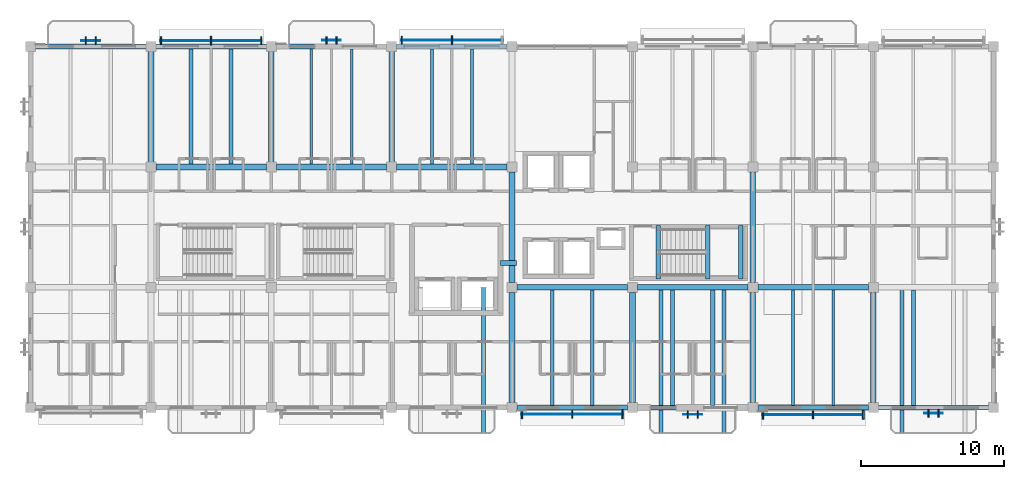
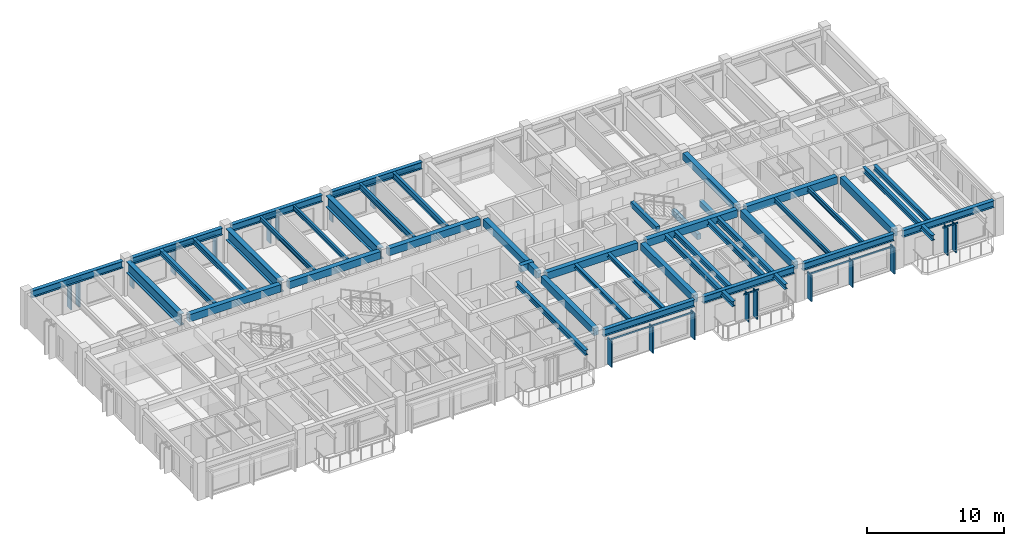
# One storey, part 2 of 18: 44 beams, 27 members, 8 elements without a shape of their own.
"""IFC4 building model written with IfcOpenShell, lengths in metres."""

import ifcopenshell
import ifcopenshell.guid

model = None  # the IFC model being written
_history = None  # IfcOwnerHistory: only IFC2X3 demands one
_inside = {}  # id of a spatial element -> (the spatial element, [elements in it])
_under = {}  # id of a project, library or spatial element -> (it, [spatial elements below it])
_declared = {}  # id of a project -> (the project, [libraries it declares])
_typed = {}  # id of a type object -> (the type object, [elements of that type])
_made_of = {}  # id of a material, layer set ... -> (it, [elements and type objects made of it])


def new_model(schema):
    """Start an empty IFC model of exactly this schema.

    Asked for "IFC4X3", IfcOpenShell would pick the latest addendum, in which some entities
    have other attributes; the version numbers below select the first issue.
    IFC2X3 requires an IfcOwnerHistory on every rooted entity: one is made here for all.
    """
    global model, _history
    if schema == "IFC4X3":
        model = ifcopenshell.file(schema_version=(4, 3, 0, 0))
    else:
        model = ifcopenshell.file(schema=schema)
    _inside.clear()
    _under.clear()
    _declared.clear()
    _typed.clear()
    _made_of.clear()
    _history = None
    if model.schema == "IFC2X3":
        org = make("IfcOrganization", Name="unknown")
        user = make(
            "IfcPersonAndOrganization",
            ThePerson=make("IfcPerson", FamilyName="unknown"),
            TheOrganization=org,
        )
        app = make(
            "IfcApplication",
            ApplicationDeveloper=org,
            Version="unknown",
            ApplicationFullName="unknown",
            ApplicationIdentifier="unknown",
        )
        _history = make(
            "IfcOwnerHistory",
            OwningUser=user,
            OwningApplication=app,
            ChangeAction="ADDED",
            CreationDate=0,
        )
    return model


def make(cls, **values):
    """One entity of the class cls with the attributes given. An attribute that is None is left unset."""
    return model.create_entity(
        cls, **{name: value for name, value in values.items() if value is not None}
    )


def rooted(cls, **values):
    """An entity with a GlobalId (a new one), such as an element, a storey or a relation."""
    return make(cls, GlobalId=ifcopenshell.guid.new(), OwnerHistory=_history, **values)


def si_unit(unit_type, name, prefix=None):
    """IfcSIUnit, for example si_unit("LENGTHUNIT", "METRE", prefix="MILLI")."""
    return make("IfcSIUnit", UnitType=unit_type, Prefix=prefix, Name=name)


def assignment(units):
    """IfcUnitAssignment: the units of a project."""
    return None if units is None else make("IfcUnitAssignment", Units=units)


def point(xyz):
    """IfcCartesianPoint."""
    return None if xyz is None else make("IfcCartesianPoint", Coordinates=xyz)


def direction(xyz):
    """IfcDirection."""
    return None if xyz is None else make("IfcDirection", DirectionRatios=xyz)


def frame(location, z_axis=None, x_axis=None):
    """IfcAxis2Placement3D, a coordinate frame: its origin and axes. An axis left out is left unset."""
    return make(
        "IfcAxis2Placement3D",
        Location=point(location),
        Axis=direction(z_axis),
        RefDirection=direction(x_axis),
    )


def frame_2d(location, x_axis=None):
    """IfcAxis2Placement2D, a coordinate frame in the plane: its origin and x axis."""
    return make(
        "IfcAxis2Placement2D", Location=point(location), RefDirection=direction(x_axis)
    )


def origin():
    """The frame at (0, 0, 0) with its axes left unset."""
    return frame((0.0, 0.0, 0.0))


def origin_2d():
    """The frame at (0, 0) in the plane with its x axis left unset."""
    return frame_2d((0.0, 0.0))


def place(relative_to, where):
    """IfcLocalPlacement: puts the frame where relative to a parent placement (None: the world)."""
    return make(
        "IfcLocalPlacement", PlacementRelTo=relative_to, RelativePlacement=where
    )


def context(
    kind, dimensions, precision=None, world=None, true_north=None, identifier=None
):
    """IfcGeometricRepresentationContext, for example the 3D "Model" context."""
    return make(
        "IfcGeometricRepresentationContext",
        ContextIdentifier=identifier,
        ContextType=kind,
        CoordinateSpaceDimension=dimensions,
        Precision=precision,
        WorldCoordinateSystem=world,
        TrueNorth=true_north,
    )


def subcontext(parent, identifier, kind, view, scale=None):
    """IfcGeometricRepresentationSubContext, for example "Body" below "Model"."""
    return make(
        "IfcGeometricRepresentationSubContext",
        ContextIdentifier=identifier,
        ContextType=kind,
        ParentContext=parent,
        TargetScale=scale,
        TargetView=view,
    )


def project(units=None, contexts=None):
    """IfcProject with its units and contexts."""
    return rooted(
        "IfcProject",
        Name="project",
        RepresentationContexts=contexts,
        UnitsInContext=assignment(units),
    )


def spatial(cls, under=None, at=None, **own):
    """A site, building, storey or space (cls), placed at a placement, below another one or the project."""
    s = rooted(cls, ObjectPlacement=at, **own)
    if under is not None:
        _under.setdefault(under.id(), (under, []))[1].append(s)
    return s


def profile(cls, at=None, kind="AREA", **sizes):
    """A parametric profile (cls). Its sizes go by their IFC names, for example OverallWidth=200.0."""
    return make(cls, ProfileType=kind, Position=at, **sizes)


def rectangle(**sizes):
    """IfcRectangleProfileDef."""
    return profile("IfcRectangleProfileDef", **sizes)


def i_section(**sizes):
    """IfcIShapeProfileDef."""
    return profile("IfcIShapeProfileDef", **sizes)


def extrude(swept, where, along, depth):
    """IfcExtrudedAreaSolid: the profile swept, set in the frame where, extruded along a direction by depth."""
    return make(
        "IfcExtrudedAreaSolid",
        SweptArea=swept,
        Position=where,
        ExtrudedDirection=direction(along),
        Depth=depth,
    )


def shape(context_of_items, identifier, shape_type, items):
    """IfcShapeRepresentation: the items that make up one representation, for example the "Body"."""
    return make(
        "IfcShapeRepresentation",
        ContextOfItems=context_of_items,
        RepresentationIdentifier=identifier,
        RepresentationType=shape_type,
        Items=items,
    )


def material(Name=None, Category=None):
    """IfcMaterial."""
    return make("IfcMaterial", Name=Name, Category=Category)


def material_profile(
    of_material, cross_section, Name=None, Category=None, Priority=None
):
    """IfcMaterialProfile: a cross section and its material."""
    return make(
        "IfcMaterialProfile",
        Name=Name,
        Material=of_material,
        Profile=cross_section,
        Priority=Priority,
        Category=Category,
    )


def profile_set(profiles, Name=None, composite=None):
    """IfcMaterialProfileSet."""
    return make(
        "IfcMaterialProfileSet",
        Name=Name,
        MaterialProfiles=profiles,
        CompositeProfile=composite,
    )


def made_of(thing, what):
    """Note that an element or type object is made of a material, layer set ...; save() writes the relation."""
    if what is not None:
        _made_of.setdefault(what.id(), (what, []))[1].append(thing)
    return thing


def type_object(cls, material=None, **own):
    """A type object (cls), such as IfcWallType, which elements share."""
    return made_of(rooted(cls, **own), material)


def element(
    cls,
    number,
    at=None,
    inside=None,
    cuts=None,
    type_object=None,
    material=None,
    context=None,
    identifier="Body",
    shape_type=None,
    held_by="IfcProductDefinitionShape",
    body=None,
    shapes=None,
    **own,
):
    """One element of the class cls, such as IfcWall. Its Tag is "e" and its number.

    at: its placement. inside: the storey or other place that contains it. cuts: it is an
    opening in that element (IfcRelVoidsElement). A single representation is given by context,
    identifier, shape_type and body (its items); several are given by shapes. held_by: the class
    of the entity that holds the representations. save() writes the other relations.
    """
    e = rooted(cls, Tag="e%d" % number, ObjectPlacement=at, **own)
    if body is not None:
        shapes = [shape(context, identifier, shape_type, body)]
    if shapes is not None:
        e.Representation = make(held_by, Representations=shapes)
    if inside is not None:
        _inside.setdefault(inside.id(), (inside, []))[1].append(e)
    if cuts is not None:
        rooted(
            "IfcRelVoidsElement", RelatingBuildingElement=cuts, RelatedOpeningElement=e
        )
    if type_object is not None:
        _typed.setdefault(type_object.id(), (type_object, []))[1].append(e)
    return made_of(e, material)


def aggregate(whole, parts):
    """IfcRelAggregates: a whole, such as a stair, and the parts it consists of."""
    return rooted("IfcRelAggregates", RelatingObject=whole, RelatedObjects=parts)


def save(model, path):
    """Write the relations noted so far, then the file.

    IfcRelAggregates (storeys below a building ...), IfcRelContainedInSpatialStructure (elements
    in a storey), IfcRelDefinesByType, IfcRelAssociatesMaterial and IfcRelDeclares: one each for
    every whole, place, type object, material and project.
    """
    for whole, parts in _under.values():
        aggregate(whole, parts)
    for where, things in _inside.values():
        rooted(
            "IfcRelContainedInSpatialStructure",
            RelatedElements=things,
            RelatingStructure=where,
        )
    for kind, things in _typed.values():
        rooted("IfcRelDefinesByType", RelatedObjects=things, RelatingType=kind)
    for what, things in _made_of.values():
        rooted("IfcRelAssociatesMaterial", RelatedObjects=things, RelatingMaterial=what)
    for by, libraries in _declared.values():
        rooted("IfcRelDeclares", RelatingContext=by, RelatedDefinitions=libraries)
    model.write(path)


model = new_model("IFC4")

# Units and contexts
model_context = context("Model", 3, precision=1e-05, world=origin(), true_north=direction((0.0, 1.0)))
body_context = subcontext(model_context, "Body", "Model", "MODEL_VIEW")
ifc_project = project(units=[si_unit("LENGTHUNIT", "METRE"), si_unit("AREAUNIT", "SQUARE_METRE"), si_unit("VOLUMEUNIT", "CUBIC_METRE"), si_unit("PLANEANGLEUNIT", "RADIAN"), si_unit("MASSUNIT", "GRAM", prefix="KILO")], contexts=[model_context])

# Site, building, storey
site_placement = place(None, origin())
site = spatial("IfcSite", under=ifc_project, at=site_placement, CompositionType="ELEMENT")
building_placement = place(site_placement, origin())
building = spatial("IfcBuilding", under=site, at=building_placement, Name="Cumbredor Promenade Congress Hotel", CompositionType="ELEMENT")
storey_placement = place(building_placement, frame((0.0, 0.0, 25.199951171875)))
storey = spatial("IfcBuildingStorey", under=building, at=storey_placement, Name="L07", CompositionType="ELEMENT", Elevation=25.199951171875)

# Beams
ifc_material_1 = material(Name="Concrete C40/50", Category="concrete")
ifc_material_profile_1 = material_profile(ifc_material_1, rectangle(XDim=0.39990234375, YDim=0.64990234375, at=origin_2d()), Name="RC BEAM 400x650")
ifc_profile_set_1 = profile_set([ifc_material_profile_1], Name="Concrete C40/50")
beam_type_1 = type_object("IfcBeamType", Name="BM-RC-400x650", PredefinedType="BEAM", material=ifc_profile_set_1)
beam_1_placement = place(storey_placement, frame((8.75, 109.199951171875, 2.795166015625), z_axis=(1.0, 0.0, 0.0), x_axis=(0.0, 1.0, 0.0)))
element("IfcBeam", 1, at=beam_1_placement, inside=storey, type_object=beam_type_1, Name="L08 X-Grid Beam 011", PredefinedType="BEAM", context=body_context, shape_type="SweptSolid", body=[
    extrude(rectangle(XDim=0.39990234375, YDim=0.64990234375, at=origin_2d()), origin(), (0.0, 0.0, 1.0), 7.699951171875),
])
beam_2_placement = place(storey_placement, frame((17.14990234375, 109.199951171875, 2.795166015625), z_axis=(1.0, 0.0, 0.0), x_axis=(0.0, 1.0, 0.0)))
element("IfcBeam", 2, at=beam_2_placement, inside=storey, type_object=beam_type_1, Name="L08 X-Grid Beam 016", PredefinedType="BEAM", context=body_context, shape_type="SweptSolid", body=[
    extrude(rectangle(XDim=0.39990234375, YDim=0.64990234375, at=origin_2d()), origin(), (0.0, 0.0, 1.0), 7.7001953125),
])
for number, where, z_axis, x_axis, name in (
    (3, (25.550048828125, 109.199951171875, 2.795166015625), (1.0, 0.0, 0.0), (0.0, 1.0, 0.0), "L08 X-Grid Beam 020"),
    (4, (33.60009765625, 92.75, 2.795166015625), (0.0, 1.0, 0.0), (-1.0, 0.0, 0.0), "L08 Y-Grid Beam 023"),
    (5, (33.949951171875, 100.800048828125, 2.795166015625), (1.0, 0.0, 0.0), (0.0, 1.0, 0.0), "L08 X-Grid Beam 024"),
):
    element("IfcBeam", number, at=place(storey_placement, frame(where, z_axis=z_axis, x_axis=x_axis)), inside=storey, type_object=beam_type_1, Name=name, PredefinedType="BEAM", context=body_context, shape_type="SweptSolid", body=[
        extrude(rectangle(XDim=0.39990234375, YDim=0.64990234375, at=origin_2d()), origin(), (0.0, 0.0, 1.0), 7.699951171875),
    ])
beam_3_placement = place(storey_placement, frame((33.60009765625, 101.14990234375, 2.795166015625), z_axis=(0.0, 1.0, 0.0), x_axis=(-1.0, 0.0, 0.0)))
element("IfcBeam", 6, at=beam_3_placement, inside=storey, type_object=beam_type_1, Name="L08 Y-Grid Beam 025", PredefinedType="BEAM", context=body_context, shape_type="SweptSolid", body=[
    extrude(rectangle(XDim=0.39990234375, YDim=0.64990234375, at=origin_2d()), origin(), (0.0, 0.0, 1.0), 7.7001953125),
])
for number, where, z_axis, x_axis, name in (
    (7, (42.0, 92.75, 2.795166015625), (0.0, 1.0, 0.0), (-1.0, 0.0, 0.0), "L08 Y-Grid Beam 028"),
    (8, (42.35009765625, 100.800048828125, 2.795166015625), (1.0, 0.0, 0.0), (0.0, 1.0, 0.0), "L08 X-Grid Beam 029"),
    (9, (50.39990234375, 92.75, 2.795166015625), (0.0, 1.0, 0.0), (-1.0, 0.0, 0.0), "L08 Y-Grid Beam 033"),
    (10, (50.75, 100.800048828125, 2.795166015625), (1.0, 0.0, 0.0), (0.0, 1.0, 0.0), "L08 X-Grid Beam 034"),
):
    element("IfcBeam", number, at=place(storey_placement, frame(where, z_axis=z_axis, x_axis=x_axis)), inside=storey, type_object=beam_type_1, Name=name, PredefinedType="BEAM", context=body_context, shape_type="SweptSolid", body=[
        extrude(rectangle(XDim=0.39990234375, YDim=0.64990234375, at=origin_2d()), origin(), (0.0, 0.0, 1.0), 7.699951171875),
    ])
beam_4_placement = place(storey_placement, frame((50.39990234375, 101.14990234375, 2.795166015625), z_axis=(0.0, 1.0, 0.0), x_axis=(-1.0, 0.0, 0.0)))
element("IfcBeam", 11, at=beam_4_placement, inside=storey, type_object=beam_type_1, Name="L08 Y-Grid Beam 035", PredefinedType="BEAM", context=body_context, shape_type="SweptSolid", body=[
    extrude(rectangle(XDim=0.39990234375, YDim=0.64990234375, at=origin_2d()), origin(), (0.0, 0.0, 1.0), 7.7001953125),
])
beam_5_placement = place(storey_placement, frame((58.800048828125, 92.75, 2.795166015625), z_axis=(0.0, 1.0, 0.0), x_axis=(-1.0, 0.0, 0.0)))
element("IfcBeam", 12, at=beam_5_placement, inside=storey, type_object=beam_type_1, Name="L08 Y-Grid Beam 039", PredefinedType="BEAM", context=body_context, shape_type="SweptSolid", body=[
    extrude(rectangle(XDim=0.39990234375, YDim=0.64990234375, at=origin_2d()), origin(), (0.0, 0.0, 1.0), 7.699951171875),
])
ifc_material_2 = material(Name="Steel ASTM A992 Grade 50", Category="steel")
ifc_material_profile_2 = material_profile(ifc_material_2, i_section(OverallWidth=0.323974609375, OverallDepth=0.611083984375, WebThickness=0.0126953125, FlangeThickness=0.01904296875, at=origin_2d()), Name="W24X104")
ifc_profile_set_2 = profile_set([ifc_material_profile_2], Name="Steel ASTM A992 Grade 50")
beam_type_2 = type_object("IfcBeamType", Name="BM-W24X104", PredefinedType="BEAM", material=ifc_profile_set_2)
for number, where, z_axis, x_axis, name in (
    (13, (0.35009765625, 117.60009765625, 2.734619140625), (1.0, 0.0, 0.0), (0.0, 1.0, 0.0), "L08 X-Grid Beam 006"),
    (14, (8.75, 117.60009765625, 2.734619140625), (1.0, 0.0, 0.0), (0.0, 1.0, 0.0), "L08 X-Grid Beam 012"),
):
    element("IfcBeam", number, at=place(storey_placement, frame(where, z_axis=z_axis, x_axis=x_axis)), inside=storey, type_object=beam_type_2, Name=name, PredefinedType="BEAM", context=body_context, shape_type="SweptSolid", body=[
        extrude(i_section(OverallWidth=0.323974609375, OverallDepth=0.611083984375, WebThickness=0.0126953125, FlangeThickness=0.01904296875, at=origin_2d()), origin(), (0.0, 0.0, 1.0), 7.699951171875),
    ])
beam_6_placement = place(storey_placement, frame((17.14990234375, 117.60009765625, 2.734619140625), z_axis=(1.0, 0.0, 0.0), x_axis=(0.0, 1.0, 0.0)))
element("IfcBeam", 15, at=beam_6_placement, inside=storey, type_object=beam_type_2, Name="L08 X-Grid Beam 017", PredefinedType="BEAM", context=body_context, shape_type="SweptSolid", body=[
    extrude(i_section(OverallWidth=0.323974609375, OverallDepth=0.611083984375, WebThickness=0.0126953125, FlangeThickness=0.01904296875, at=origin_2d()), origin(), (0.0, 0.0, 1.0), 7.7001953125),
])
for number, where, z_axis, x_axis, name in (
    (16, (25.550048828125, 117.60009765625, 2.734619140625), (1.0, 0.0, 0.0), (0.0, 1.0, 0.0), "L08 X-Grid Beam 021"),
    (17, (33.949951171875, 92.39990234375, 2.814453125), (1.0, 0.0, 0.0), (0.0, 1.0, 0.0), "L08 X-Grid Beam 022"),
    (18, (42.35009765625, 92.39990234375, 2.814453125), (1.0, 0.0, 0.0), (0.0, 1.0, 0.0), "L08 X-Grid Beam 027"),
    (19, (50.75, 92.39990234375, 2.814453125), (1.0, 0.0, 0.0), (0.0, 1.0, 0.0), "L08 X-Grid Beam 032"),
):
    element("IfcBeam", number, at=place(storey_placement, frame(where, z_axis=z_axis, x_axis=x_axis)), inside=storey, type_object=beam_type_2, Name=name, PredefinedType="BEAM", context=body_context, shape_type="SweptSolid", body=[
        extrude(i_section(OverallWidth=0.323974609375, OverallDepth=0.611083984375, WebThickness=0.0126953125, FlangeThickness=0.01904296875, at=origin_2d()), origin(), (0.0, 0.0, 1.0), 7.699951171875),
    ])
beam_7_placement = place(storey_placement, frame((59.14990234375, 92.39990234375, 2.814453125), z_axis=(1.0, 0.0, 0.0), x_axis=(0.0, 1.0, 0.0)))
element("IfcBeam", 20, at=beam_7_placement, inside=storey, type_object=beam_type_2, Name="L08 X-Grid Beam 038", PredefinedType="BEAM", context=body_context, shape_type="SweptSolid", body=[
    extrude(i_section(OverallWidth=0.323974609375, OverallDepth=0.611083984375, WebThickness=0.0126953125, FlangeThickness=0.01904296875, at=origin_2d()), origin(), (0.0, 0.0, 1.0), 7.7001953125),
])
ifc_material_profile_3 = material_profile(ifc_material_2, i_section(OverallWidth=0.402099609375, OverallDepth=1.011962890625, WebThickness=0.023681640625, FlangeThickness=0.0419921875, at=origin_2d()), Name="W40X297")
ifc_profile_set_3 = profile_set([ifc_material_profile_3], Name="Steel ASTM A992 Grade 50")
beam_type_3 = type_object("IfcBeamType", Name="BM-W40X297", PredefinedType="BEAM", material=ifc_profile_set_3)
for number, where, z_axis, x_axis, name in (
    (21, (8.39990234375, 109.5, 2.533935546875), (0.0, 1.0, 0.0), (-1.0, 0.0, 0.0), "L08 North Setback Transfer Girder TGN-01"),
    (22, (16.800048828125, 109.5, 2.533935546875), (0.0, 1.0, 0.0), (-1.0, 0.0, 0.0), "L08 North Setback Transfer Girder TGN-02"),
    (23, (25.199951171875, 109.5, 2.533935546875), (0.0, 1.0, 0.0), (-1.0, 0.0, 0.0), "L08 North Setback Transfer Girder TGN-03"),
):
    element("IfcBeam", number, at=place(storey_placement, frame(where, z_axis=z_axis, x_axis=x_axis)), inside=storey, type_object=beam_type_3, Name=name, PredefinedType="BEAM", context=body_context, shape_type="SweptSolid", body=[
        extrude(i_section(OverallWidth=0.402099609375, OverallDepth=1.011962890625, WebThickness=0.023681640625, FlangeThickness=0.0419921875, at=origin_2d()), origin(), (0.0, 0.0, 1.0), 7.800048828125),
    ])

# Curtain wall, member
ifc_material_3 = material(Name="Thermally broken anodized aluminium and low-E glass", Category="aluminium")
curtain_wall_type = type_object("IfcCurtainWallType", Name="Solar Brise-Soleil Screen Assembly CW-07", PredefinedType="NOTDEFINED", material=ifc_material_3)
curtain_wall_1_placement = place(storey_placement, origin())
curtain_wall_1 = element("IfcCurtainWall", 24, at=curtain_wall_1_placement, inside=storey, type_object=curtain_wall_type, Name="L07 Hospitality Brise-Soleil Screen 097", PredefinedType="NOTDEFINED")
ifc_material_4 = material(Name="Thermally broken anodized aluminium", Category="aluminium")
ifc_material_profile_4 = material_profile(ifc_material_4, rectangle(XDim=0.06494140625, YDim=0.1298828125, at=origin_2d()), Name="ALU TRANSOM 65x130")
ifc_profile_set_4 = profile_set([ifc_material_profile_4], Name="Thermally broken anodized aluminium")
member_type_1 = type_object("IfcMemberType", Name="Curtain Wall Transom TR-01", PredefinedType="USERDEFINED", material=ifc_profile_set_4)
member_1_placement = place(storey_placement, frame((34.2509765625, 91.949951171875, 2.31396484375), z_axis=(1.0, 0.0, 0.0), x_axis=(0.0, 1.0, 0.0)))
member_1 = element("IfcMember", 25, at=member_1_placement, type_object=member_type_1, Name="L07 Brise-Soleil Screen Transom 097", ObjectType="TRANSOM", PredefinedType="USERDEFINED", context=body_context, shape_type="SweptSolid", body=[
    extrude(rectangle(XDim=0.06494140625, YDim=0.1298828125, at=origin_2d()), origin(), (0.0, 0.0, 1.0), 7.09814453125),
])

curtain_wall_2_placement = place(storey_placement, origin())
curtain_wall_2 = element("IfcCurtainWall", 26, at=curtain_wall_2_placement, inside=storey, type_object=curtain_wall_type, Name="L07 Veranda Solar Brise-Soleil Screen 997", PredefinedType="NOTDEFINED")
member_2_placement = place(storey_placement, frame((45.550048828125, 91.927490234375, 2.4140625), z_axis=(1.0, 0.0, 0.0), x_axis=(0.0, 1.0, 0.0)))
member_2 = element("IfcMember", 27, at=member_2_placement, type_object=member_type_1, Name="L07 Brise-Soleil Header Tie 0999", ObjectType="TRANSOM", PredefinedType="USERDEFINED", context=body_context, shape_type="SweptSolid", body=[
    extrude(rectangle(XDim=0.06494140625, YDim=0.1298828125, at=origin_2d()), origin(), (0.0, 0.0, 1.0), 1.300048828125),
])

curtain_wall_3_placement = place(storey_placement, origin())
curtain_wall_3 = element("IfcCurtainWall", 28, at=curtain_wall_3_placement, inside=storey, type_object=curtain_wall_type, Name="L07 Hospitality Brise-Soleil Screen 098", PredefinedType="NOTDEFINED")
member_3_placement = place(storey_placement, frame((51.051025390625, 91.9150390625, 2.31396484375), z_axis=(1.0, 0.0, 0.0), x_axis=(0.0, 1.0, 0.0)))
member_3 = element("IfcMember", 29, at=member_3_placement, type_object=member_type_1, Name="L07 Brise-Soleil Screen Transom 098", ObjectType="TRANSOM", PredefinedType="USERDEFINED", context=body_context, shape_type="SweptSolid", body=[
    extrude(rectangle(XDim=0.06494140625, YDim=0.1298828125, at=origin_2d()), origin(), (0.0, 0.0, 1.0), 7.097900390625),
])

curtain_wall_4_placement = place(storey_placement, origin())
curtain_wall_4 = element("IfcCurtainWall", 30, at=curtain_wall_4_placement, inside=storey, type_object=curtain_wall_type, Name="L07 Veranda Solar Brise-Soleil Screen 1003", PredefinedType="NOTDEFINED")
member_4_placement = place(storey_placement, frame((62.35009765625, 92.010009765625, 2.4140625), z_axis=(1.0, 0.0, 0.0), x_axis=(0.0, 1.0, 0.0)))
member_4 = element("IfcMember", 31, at=member_4_placement, type_object=member_type_1, Name="L07 Brise-Soleil Header Tie 1005", ObjectType="TRANSOM", PredefinedType="USERDEFINED", context=body_context, shape_type="SweptSolid", body=[
    extrude(rectangle(XDim=0.06494140625, YDim=0.1298828125, at=origin_2d()), origin(), (0.0, 0.0, 1.0), 1.2998046875),
])

curtain_wall_5_placement = place(storey_placement, origin())
curtain_wall_5 = element("IfcCurtainWall", 32, at=curtain_wall_5_placement, inside=storey, type_object=curtain_wall_type, Name="L07 Veranda Solar Brise-Soleil Screen 1006", PredefinedType="NOTDEFINED")
member_5_placement = place(storey_placement, frame((3.550048828125, 118.0, 2.333984375), z_axis=(1.0, 0.0, 0.0), x_axis=(0.0, 1.0, 0.0)))
member_5 = element("IfcMember", 33, at=member_5_placement, type_object=member_type_1, Name="L07 Brise-Soleil Header Tie 1008", ObjectType="TRANSOM", PredefinedType="USERDEFINED", context=body_context, shape_type="SweptSolid", body=[
    extrude(rectangle(XDim=0.06494140625, YDim=0.1298828125, at=origin_2d()), origin(), (0.0, 0.0, 1.0), 1.300048828125),
])

curtain_wall_6_placement = place(storey_placement, origin())
curtain_wall_6 = element("IfcCurtainWall", 34, at=curtain_wall_6_placement, inside=storey, type_object=curtain_wall_type, Name="L07 Hospitality Brise-Soleil Screen 099", PredefinedType="NOTDEFINED")
member_6_placement = place(storey_placement, frame((9.051025390625, 118.010009765625, 2.234130859375), z_axis=(1.0, 0.0, 0.0), x_axis=(0.0, 1.0, 0.0)))
member_6 = element("IfcMember", 35, at=member_6_placement, type_object=member_type_1, Name="L07 Brise-Soleil Screen Transom 099", ObjectType="TRANSOM", PredefinedType="USERDEFINED", context=body_context, shape_type="SweptSolid", body=[
    extrude(rectangle(XDim=0.06494140625, YDim=0.1298828125, at=origin_2d()), origin(), (0.0, 0.0, 1.0), 7.097900390625),
])

curtain_wall_7_placement = place(storey_placement, origin())
curtain_wall_7 = element("IfcCurtainWall", 36, at=curtain_wall_7_placement, inside=storey, type_object=curtain_wall_type, Name="L07 Veranda Solar Brise-Soleil Screen 1012", PredefinedType="NOTDEFINED")
member_7_placement = place(storey_placement, frame((20.35009765625, 118.0224609375, 2.333984375), z_axis=(1.0, 0.0, 0.0), x_axis=(0.0, 1.0, 0.0)))
member_7 = element("IfcMember", 37, at=member_7_placement, type_object=member_type_1, Name="L07 Brise-Soleil Header Tie 1014", ObjectType="TRANSOM", PredefinedType="USERDEFINED", context=body_context, shape_type="SweptSolid", body=[
    extrude(rectangle(XDim=0.06494140625, YDim=0.1298828125, at=origin_2d()), origin(), (0.0, 0.0, 1.0), 1.2998046875),
])

curtain_wall_8_placement = place(storey_placement, origin())
curtain_wall_8 = element("IfcCurtainWall", 38, at=curtain_wall_8_placement, inside=storey, type_object=curtain_wall_type, Name="L07 Hospitality Brise-Soleil Screen 100", PredefinedType="NOTDEFINED")
member_8_placement = place(storey_placement, frame((25.85107421875, 118.034912109375, 2.234130859375), z_axis=(1.0, 0.0, 0.0), x_axis=(0.0, 1.0, 0.0)))
member_8 = element("IfcMember", 39, at=member_8_placement, type_object=member_type_1, Name="L07 Brise-Soleil Screen Transom 100", ObjectType="TRANSOM", PredefinedType="USERDEFINED", context=body_context, shape_type="SweptSolid", body=[
    extrude(rectangle(XDim=0.06494140625, YDim=0.1298828125, at=origin_2d()), origin(), (0.0, 0.0, 1.0), 7.097900390625),
])

# Beams
ifc_material_profile_5 = material_profile(ifc_material_2, i_section(OverallWidth=0.2548828125, OverallDepth=0.35693359375, WebThickness=0.010498046875, FlangeThickness=0.018310546875, at=origin_2d()), Name="W14X68")
ifc_profile_set_5 = profile_set([ifc_material_profile_5], Name="Steel ASTM A992 Grade 50")
beam_type_4 = type_object("IfcBeamType", Name="JST-W14X68", PredefinedType="JOIST", material=ifc_profile_set_5)
for number, where, z_axis, x_axis, name in (
    (40, (36.39990234375, 92.56201171875, 2.941650390625), (0.0, 1.0, 0.0), (-1.0, 0.0, 0.0), "L08 Secondary Floor Joist 0017"),
    (41, (39.199951171875, 92.56201171875, 2.941650390625), (0.0, 1.0, 0.0), (-1.0, 0.0, 0.0), "L08 Secondary Floor Joist 0018"),
):
    element("IfcBeam", number, at=place(storey_placement, frame(where, z_axis=z_axis, x_axis=x_axis)), inside=storey, type_object=beam_type_4, Name=name, PredefinedType="JOIST", context=body_context, shape_type="SweptSolid", body=[
        extrude(i_section(OverallWidth=0.2548828125, OverallDepth=0.35693359375, WebThickness=0.010498046875, FlangeThickness=0.018310546875, at=origin_2d()), origin(), (0.0, 0.0, 1.0), 8.0380859375),
    ])
ifc_material_profile_6 = material_profile(ifc_material_2, i_section(OverallWidth=0.180908203125, OverallDepth=0.4169921875, WebThickness=0.010986328125, FlangeThickness=0.018310546875, at=origin_2d()), Name="W16X57")
ifc_profile_set_6 = profile_set([ifc_material_profile_6], Name="Steel ASTM A992 Grade 50")
beam_type_5 = type_object("IfcBeamType", Name="JST-W16X57", PredefinedType="JOIST", material=ifc_profile_set_6)
for number, where, z_axis, x_axis, name in (
    (42, (19.60009765625, 109.39990234375, 2.83154296875), (0.0, 1.0, 0.0), (-1.0, 0.0, 0.0), "L08 Secondary Floor Joist 0013"),
    (43, (22.39990234375, 109.39990234375, 2.83154296875), (0.0, 1.0, 0.0), (-1.0, 0.0, 0.0), "L08 Secondary Floor Joist 0014"),
    (44, (53.199951171875, 92.56201171875, 2.91162109375), (0.0, 1.0, 0.0), (-1.0, 0.0, 0.0), "L08 Secondary Floor Joist 0023"),
    (45, (56.0, 92.56201171875, 2.91162109375), (0.0, 1.0, 0.0), (-1.0, 0.0, 0.0), "L08 Secondary Floor Joist 0024"),
):
    element("IfcBeam", number, at=place(storey_placement, frame(where, z_axis=z_axis, x_axis=x_axis)), inside=storey, type_object=beam_type_5, Name=name, PredefinedType="JOIST", context=body_context, shape_type="SweptSolid", body=[
        extrude(i_section(OverallWidth=0.180908203125, OverallDepth=0.4169921875, WebThickness=0.010986328125, FlangeThickness=0.018310546875, at=origin_2d()), origin(), (0.0, 0.0, 1.0), 8.0380859375),
    ])
ifc_material_profile_7 = material_profile(ifc_material_2, i_section(OverallWidth=0.280029296875, OverallDepth=0.462890625, WebThickness=0.0107421875, FlangeThickness=0.017333984375, at=origin_2d()), Name="W18X76")
ifc_profile_set_7 = profile_set([ifc_material_profile_7], Name="Steel ASTM A992 Grade 50")
beam_type_6 = type_object("IfcBeamType", Name="JST-W18X76", PredefinedType="JOIST", material=ifc_profile_set_7)
for number, where, z_axis, x_axis, name in (
    (46, (31.60009765625, 90.64990234375, 2.888427734375), (0.0, 1.0, 0.0), (-1.0, 0.0, 0.0), "L08 Balcony Back-Spanned Outrigger Beam 050.2"),
    (47, (44.0, 90.64990234375, 2.888427734375), (0.0, 1.0, 0.0), (-1.0, 0.0, 0.0), "L08 Balcony Back-Spanned Outrigger Beam 051.1"),
    (48, (48.39990234375, 90.64990234375, 2.888427734375), (0.0, 1.0, 0.0), (-1.0, 0.0, 0.0), "L08 Balcony Back-Spanned Outrigger Beam 051.2"),
    (49, (60.800048828125, 90.64990234375, 2.888427734375), (0.0, 1.0, 0.0), (-1.0, 0.0, 0.0), "L08 Balcony Back-Spanned Outrigger Beam 052.1"),
):
    element("IfcBeam", number, at=place(storey_placement, frame(where, z_axis=z_axis, x_axis=x_axis)), inside=storey, type_object=beam_type_6, Name=name, PredefinedType="JOIST", context=body_context, shape_type="SweptSolid", body=[
        extrude(i_section(OverallWidth=0.280029296875, OverallDepth=0.462890625, WebThickness=0.0107421875, FlangeThickness=0.017333984375, at=origin_2d()), origin(), (0.0, 0.0, 1.0), 10.150146484375),
    ])
for number, where, z_axis, x_axis, name in (
    (50, (11.199951171875, 109.39990234375, 2.80859375), (0.0, 1.0, 0.0), (-1.0, 0.0, 0.0), "L08 Secondary Floor Joist 0009"),
    (51, (14.0, 109.39990234375, 2.80859375), (0.0, 1.0, 0.0), (-1.0, 0.0, 0.0), "L08 Secondary Floor Joist 0010"),
    (52, (44.800048828125, 92.56201171875, 2.888427734375), (0.0, 1.0, 0.0), (-1.0, 0.0, 0.0), "L08 Secondary Floor Joist 0019"),
    (53, (47.60009765625, 92.56201171875, 2.888427734375), (0.0, 1.0, 0.0), (-1.0, 0.0, 0.0), "L08 Secondary Floor Joist 0020"),
    (54, (61.60009765625, 92.56201171875, 2.888427734375), (0.0, 1.0, 0.0), (-1.0, 0.0, 0.0), "L08 Secondary Floor Joist 0029"),
):
    element("IfcBeam", number, at=place(storey_placement, frame(where, z_axis=z_axis, x_axis=x_axis)), inside=storey, type_object=beam_type_6, Name=name, PredefinedType="JOIST", context=body_context, shape_type="SweptSolid", body=[
        extrude(i_section(OverallWidth=0.280029296875, OverallDepth=0.462890625, WebThickness=0.0107421875, FlangeThickness=0.017333984375, at=origin_2d()), origin(), (0.0, 0.0, 1.0), 8.0380859375),
    ])
ifc_material_profile_8 = material_profile(ifc_material_2, i_section(OverallWidth=0.214111328125, OverallDepth=0.549072265625, WebThickness=0.0146484375, FlangeThickness=0.023681640625, at=origin_2d()), Name="W21X93")
ifc_profile_set_8 = profile_set([ifc_material_profile_8], Name="Steel ASTM A992 Grade 50")
beam_type_7 = type_object("IfcBeamType", Name="JST-W21X93", PredefinedType="JOIST", material=ifc_profile_set_8)
for number, where, z_axis, x_axis, name in (
    (55, (28.0, 109.39990234375, 2.765625), (0.0, 1.0, 0.0), (-1.0, 0.0, 0.0), "L08 Secondary Floor Joist 0015"),
    (56, (30.800048828125, 109.39990234375, 2.765625), (0.0, 1.0, 0.0), (-1.0, 0.0, 0.0), "L08 Secondary Floor Joist 0016"),
):
    element("IfcBeam", number, at=place(storey_placement, frame(where, z_axis=z_axis, x_axis=x_axis)), inside=storey, type_object=beam_type_7, Name=name, PredefinedType="JOIST", context=body_context, shape_type="SweptSolid", body=[
        extrude(i_section(OverallWidth=0.214111328125, OverallDepth=0.549072265625, WebThickness=0.0146484375, FlangeThickness=0.023681640625, at=origin_2d()), origin(), (0.0, 0.0, 1.0), 8.0380859375),
    ])
ifc_material_profile_9 = material_profile(ifc_material_1, rectangle(XDim=0.300048828125, YDim=0.5, at=origin_2d()), Name="RC LINTEL 300x500")
ifc_profile_set_9 = profile_set([ifc_material_profile_9], Name="Concrete C40/50")
beam_type_8 = type_object("IfcBeamType", Name="LN-RC-300x500", PredefinedType="LINTEL", material=ifc_profile_set_9)
for number, where, z_axis, x_axis, name in (
    (57, (49.550048828125, 101.3701171875, 1.22998046875), (0.0, 1.0, 0.0), (-1.0, 0.0, 0.0), "L07 Stair ST-03 Landing Ledger Beam E"),
    (58, (47.25, 101.3701171875, 1.22998046875), (0.0, 1.0, 0.0), (-1.0, 0.0, 0.0), "L07 Stair ST-03 Landing Ledger Beam W"),
    (59, (43.800048828125, 101.3701171875, 3.110107421875), (0.0, 1.0, 0.0), (-1.0, 0.0, 0.0), "L08 Stair ST-03 Well Header Trimmer Beam"),
):
    element("IfcBeam", number, at=place(storey_placement, frame(where, z_axis=z_axis, x_axis=x_axis)), inside=storey, type_object=beam_type_8, Name=name, PredefinedType="LINTEL", context=body_context, shape_type="SweptSolid", body=[
        extrude(rectangle(XDim=0.300048828125, YDim=0.5, at=origin_2d()), origin(), (0.0, 0.0, 1.0), 3.72998046875),
    ])
ifc_material_profile_10 = material_profile(ifc_material_1, rectangle(XDim=0.35009765625, YDim=0.60009765625, at=origin_2d()), Name="RC LINTEL 350x600")
ifc_profile_set_10 = profile_set([ifc_material_profile_10], Name="Concrete C40/50")
beam_type_9 = type_object("IfcBeamType", Name="LN-RC-350x600", PredefinedType="LINTEL", material=ifc_profile_set_10)
beam_8_placement = place(storey_placement, frame((32.800048828125, 102.5, 2.820068359375), z_axis=(1.0, 0.0, 0.0), x_axis=(0.0, 1.0, 0.0)))
element("IfcBeam", 60, at=beam_8_placement, inside=storey, type_object=beam_type_9, Name="L07 Core Coupling Lintel Beam", PredefinedType="LINTEL", context=body_context, shape_type="SweptSolid", body=[
    extrude(rectangle(XDim=0.35009765625, YDim=0.60009765625, at=origin_2d()), origin(), (0.0, 0.0, 1.0), 1.099853515625),
])

# Member
ifc_material_profile_11 = material_profile(ifc_material_4, rectangle(XDim=0.110107421875, YDim=0.6201171875, at=origin_2d()), Name="ARCH FIN 110x620")
ifc_profile_set_11 = profile_set([ifc_material_profile_11], Name="Thermally broken anodized aluminium")
member_type_2 = type_object("IfcMemberType", Name="Vertical Bronze Brise-Soleil Fin BSF-02 110x620", PredefinedType="USERDEFINED", material=ifc_profile_set_11)
member_9_placement = place(storey_placement, frame((34.301025390625, 91.949951171875, 0.02001953125), z_axis=(0.0, 0.0, 1.0), x_axis=(1.0, 0.0, 0.0)))
member_9 = element("IfcMember", 61, at=member_9_placement, type_object=member_type_2, Name="L07 Vertical Brise-Soleil Fin 0994", ObjectType="SOLAR FIN", PredefinedType="USERDEFINED", context=body_context, shape_type="SweptSolid", body=[
    extrude(rectangle(XDim=0.110107421875, YDim=0.6201171875, at=origin_2d()), origin(), (0.0, 0.0, 1.0), 2.35400390625),
])

member_10_placement = place(storey_placement, frame((41.299072265625, 91.949951171875, 0.02001953125), z_axis=(0.0, 0.0, 1.0), x_axis=(1.0, 0.0, 0.0)))
member_10 = element("IfcMember", 62, at=member_10_placement, type_object=member_type_2, Name="L07 Vertical Brise-Soleil Fin 0996", ObjectType="SOLAR FIN", PredefinedType="USERDEFINED", context=body_context, shape_type="SweptSolid", body=[
    extrude(rectangle(XDim=0.110107421875, YDim=0.6201171875, at=origin_2d()), origin(), (0.0, 0.0, 1.0), 2.35400390625),
])

member_11_placement = place(storey_placement, frame((51.10107421875, 91.9150390625, 0.02001953125), z_axis=(0.0, 0.0, 1.0), x_axis=(1.0, 0.0, 0.0)))
member_11 = element("IfcMember", 63, at=member_11_placement, type_object=member_type_2, Name="L07 Vertical Brise-Soleil Fin 1000", ObjectType="SOLAR FIN", PredefinedType="USERDEFINED", context=body_context, shape_type="SweptSolid", body=[
    extrude(rectangle(XDim=0.110107421875, YDim=0.6201171875, at=origin_2d()), origin(), (0.0, 0.0, 1.0), 2.35400390625),
])

member_12_placement = place(storey_placement, frame((58.09912109375, 91.9150390625, 0.02001953125), z_axis=(0.0, 0.0, 1.0), x_axis=(1.0, 0.0, 0.0)))
member_12 = element("IfcMember", 64, at=member_12_placement, type_object=member_type_2, Name="L07 Vertical Brise-Soleil Fin 1002", ObjectType="SOLAR FIN", PredefinedType="USERDEFINED", context=body_context, shape_type="SweptSolid", body=[
    extrude(rectangle(XDim=0.110107421875, YDim=0.6201171875, at=origin_2d()), origin(), (0.0, 0.0, 1.0), 2.35400390625),
])

member_13_placement = place(storey_placement, frame((12.60009765625, 118.010009765625, 0.02001953125), z_axis=(0.0, 0.0, 1.0), x_axis=(1.0, 0.0, 0.0)))
member_13 = element("IfcMember", 65, at=member_13_placement, type_object=member_type_2, Name="L07 Vertical Brise-Soleil Fin 1010", ObjectType="SOLAR FIN", PredefinedType="USERDEFINED", context=body_context, shape_type="SweptSolid", body=[
    extrude(rectangle(XDim=0.110107421875, YDim=0.6201171875, at=origin_2d()), origin(), (0.0, 0.0, 1.0), 2.27392578125),
])

member_14_placement = place(storey_placement, frame((29.39990234375, 118.034912109375, 0.02001953125), z_axis=(0.0, 0.0, 1.0), x_axis=(1.0, 0.0, 0.0)))
member_14 = element("IfcMember", 66, at=member_14_placement, type_object=member_type_2, Name="L07 Vertical Brise-Soleil Fin 1016", ObjectType="SOLAR FIN", PredefinedType="USERDEFINED", context=body_context, shape_type="SweptSolid", body=[
    extrude(rectangle(XDim=0.110107421875, YDim=0.6201171875, at=origin_2d()), origin(), (0.0, 0.0, 1.0), 2.27392578125),
])

ifc_material_5 = material(Name="Kiln-dried tropical hardwood", Category="wood")
ifc_material_profile_12 = material_profile(ifc_material_5, rectangle(XDim=0.090087890625, YDim=0.550048828125, at=origin_2d()), Name="ARCH FIN 90x550")
ifc_profile_set_12 = profile_set([ifc_material_profile_12], Name="Kiln-dried tropical hardwood")
member_type_3 = type_object("IfcMemberType", Name="Vertical Hardwood Brise-Soleil Fin BSF-01 90x550", PredefinedType="USERDEFINED", material=ifc_profile_set_12)
member_15_placement = place(storey_placement, frame((37.800048828125, 91.949951171875, 0.02001953125), z_axis=(0.0, 0.0, 1.0), x_axis=(1.0, 0.0, 0.0)))
member_15 = element("IfcMember", 67, at=member_15_placement, type_object=member_type_3, Name="L07 Vertical Brise-Soleil Fin 0995", ObjectType="SOLAR FIN", PredefinedType="USERDEFINED", context=body_context, shape_type="SweptSolid", body=[
    extrude(rectangle(XDim=0.090087890625, YDim=0.550048828125, at=origin_2d()), origin(), (0.0, 0.0, 1.0), 2.35400390625),
])

aggregate(curtain_wall_1, [member_1, member_9, member_15, member_10])

member_16_placement = place(storey_placement, frame((45.85009765625, 91.927490234375, -0.010009765625), z_axis=(0.0, 0.0, 1.0), x_axis=(1.0, 0.0, 0.0)))
member_16 = element("IfcMember", 68, at=member_16_placement, type_object=member_type_3, Name="L07 Vertical Hardwood Brise-Soleil Fin 0998", ObjectType="SOLAR FIN", PredefinedType="USERDEFINED", context=body_context, shape_type="SweptSolid", body=[
    extrude(rectangle(XDim=0.090087890625, YDim=0.550048828125, at=origin_2d()), origin(), (0.0, 0.0, 1.0), 2.484130859375),
])

member_17_placement = place(storey_placement, frame((46.550048828125, 91.927490234375, -0.010009765625), z_axis=(0.0, 0.0, 1.0), x_axis=(1.0, 0.0, 0.0)))
member_17 = element("IfcMember", 69, at=member_17_placement, type_object=member_type_3, Name="L07 Vertical Hardwood Brise-Soleil Fin 0999", ObjectType="SOLAR FIN", PredefinedType="USERDEFINED", context=body_context, shape_type="SweptSolid", body=[
    extrude(rectangle(XDim=0.090087890625, YDim=0.550048828125, at=origin_2d()), origin(), (0.0, 0.0, 1.0), 2.484130859375),
])

aggregate(curtain_wall_2, [member_16, member_17, member_2])

member_18_placement = place(storey_placement, frame((54.60009765625, 91.9150390625, 0.02001953125), z_axis=(0.0, 0.0, 1.0), x_axis=(1.0, 0.0, 0.0)))
member_18 = element("IfcMember", 70, at=member_18_placement, type_object=member_type_3, Name="L07 Vertical Brise-Soleil Fin 1001", ObjectType="SOLAR FIN", PredefinedType="USERDEFINED", context=body_context, shape_type="SweptSolid", body=[
    extrude(rectangle(XDim=0.090087890625, YDim=0.550048828125, at=origin_2d()), origin(), (0.0, 0.0, 1.0), 2.35400390625),
])

aggregate(curtain_wall_3, [member_3, member_11, member_18, member_12])

member_19_placement = place(storey_placement, frame((62.64990234375, 92.010009765625, -0.010009765625), z_axis=(0.0, 0.0, 1.0), x_axis=(1.0, 0.0, 0.0)))
member_19 = element("IfcMember", 71, at=member_19_placement, type_object=member_type_3, Name="L07 Vertical Hardwood Brise-Soleil Fin 1004", ObjectType="SOLAR FIN", PredefinedType="USERDEFINED", context=body_context, shape_type="SweptSolid", body=[
    extrude(rectangle(XDim=0.090087890625, YDim=0.550048828125, at=origin_2d()), origin(), (0.0, 0.0, 1.0), 2.484130859375),
])

member_20_placement = place(storey_placement, frame((63.35009765625, 92.010009765625, -0.010009765625), z_axis=(0.0, 0.0, 1.0), x_axis=(1.0, 0.0, 0.0)))
member_20 = element("IfcMember", 72, at=member_20_placement, type_object=member_type_3, Name="L07 Vertical Hardwood Brise-Soleil Fin 1005", ObjectType="SOLAR FIN", PredefinedType="USERDEFINED", context=body_context, shape_type="SweptSolid", body=[
    extrude(rectangle(XDim=0.090087890625, YDim=0.550048828125, at=origin_2d()), origin(), (0.0, 0.0, 1.0), 2.484130859375),
])

aggregate(curtain_wall_4, [member_19, member_20, member_4])

member_21_placement = place(storey_placement, frame((3.85009765625, 118.0, -0.010009765625), z_axis=(0.0, 0.0, 1.0), x_axis=(1.0, 0.0, 0.0)))
member_21 = element("IfcMember", 73, at=member_21_placement, type_object=member_type_3, Name="L07 Vertical Hardwood Brise-Soleil Fin 1007", ObjectType="SOLAR FIN", PredefinedType="USERDEFINED", context=body_context, shape_type="SweptSolid", body=[
    extrude(rectangle(XDim=0.090087890625, YDim=0.550048828125, at=origin_2d()), origin(), (0.0, 0.0, 1.0), 2.404052734375),
])

member_22_placement = place(storey_placement, frame((4.550048828125, 118.0, -0.010009765625), z_axis=(0.0, 0.0, 1.0), x_axis=(1.0, 0.0, 0.0)))
member_22 = element("IfcMember", 74, at=member_22_placement, type_object=member_type_3, Name="L07 Vertical Hardwood Brise-Soleil Fin 1008", ObjectType="SOLAR FIN", PredefinedType="USERDEFINED", context=body_context, shape_type="SweptSolid", body=[
    extrude(rectangle(XDim=0.090087890625, YDim=0.550048828125, at=origin_2d()), origin(), (0.0, 0.0, 1.0), 2.404052734375),
])

aggregate(curtain_wall_5, [member_21, member_22, member_5])

member_23_placement = place(storey_placement, frame((9.10107421875, 118.010009765625, 0.02001953125), z_axis=(0.0, 0.0, 1.0), x_axis=(1.0, 0.0, 0.0)))
member_23 = element("IfcMember", 75, at=member_23_placement, type_object=member_type_3, Name="L07 Vertical Brise-Soleil Fin 1009", ObjectType="SOLAR FIN", PredefinedType="USERDEFINED", context=body_context, shape_type="SweptSolid", body=[
    extrude(rectangle(XDim=0.090087890625, YDim=0.550048828125, at=origin_2d()), origin(), (0.0, 0.0, 1.0), 2.27392578125),
])

member_24_placement = place(storey_placement, frame((16.09912109375, 118.010009765625, 0.02001953125), z_axis=(0.0, 0.0, 1.0), x_axis=(1.0, 0.0, 0.0)))
member_24 = element("IfcMember", 76, at=member_24_placement, type_object=member_type_3, Name="L07 Vertical Brise-Soleil Fin 1011", ObjectType="SOLAR FIN", PredefinedType="USERDEFINED", context=body_context, shape_type="SweptSolid", body=[
    extrude(rectangle(XDim=0.090087890625, YDim=0.550048828125, at=origin_2d()), origin(), (0.0, 0.0, 1.0), 2.27392578125),
])

aggregate(curtain_wall_6, [member_6, member_23, member_13, member_24])

member_25_placement = place(storey_placement, frame((20.64990234375, 118.0224609375, -0.010009765625), z_axis=(0.0, 0.0, 1.0), x_axis=(1.0, 0.0, 0.0)))
member_25 = element("IfcMember", 77, at=member_25_placement, type_object=member_type_3, Name="L07 Vertical Hardwood Brise-Soleil Fin 1013", ObjectType="SOLAR FIN", PredefinedType="USERDEFINED", context=body_context, shape_type="SweptSolid", body=[
    extrude(rectangle(XDim=0.090087890625, YDim=0.550048828125, at=origin_2d()), origin(), (0.0, 0.0, 1.0), 2.404052734375),
])

member_26_placement = place(storey_placement, frame((21.35009765625, 118.0224609375, -0.010009765625), z_axis=(0.0, 0.0, 1.0), x_axis=(1.0, 0.0, 0.0)))
member_26 = element("IfcMember", 78, at=member_26_placement, type_object=member_type_3, Name="L07 Vertical Hardwood Brise-Soleil Fin 1014", ObjectType="SOLAR FIN", PredefinedType="USERDEFINED", context=body_context, shape_type="SweptSolid", body=[
    extrude(rectangle(XDim=0.090087890625, YDim=0.550048828125, at=origin_2d()), origin(), (0.0, 0.0, 1.0), 2.404052734375),
])

aggregate(curtain_wall_7, [member_25, member_26, member_7])

member_27_placement = place(storey_placement, frame((25.90087890625, 118.034912109375, 0.02001953125), z_axis=(0.0, 0.0, 1.0), x_axis=(1.0, 0.0, 0.0)))
member_27 = element("IfcMember", 79, at=member_27_placement, type_object=member_type_3, Name="L07 Vertical Brise-Soleil Fin 1015", ObjectType="SOLAR FIN", PredefinedType="USERDEFINED", context=body_context, shape_type="SweptSolid", body=[
    extrude(rectangle(XDim=0.090087890625, YDim=0.550048828125, at=origin_2d()), origin(), (0.0, 0.0, 1.0), 2.27392578125),
])

aggregate(curtain_wall_8, [member_8, member_27, member_14])

save(model, "model.ifc")
